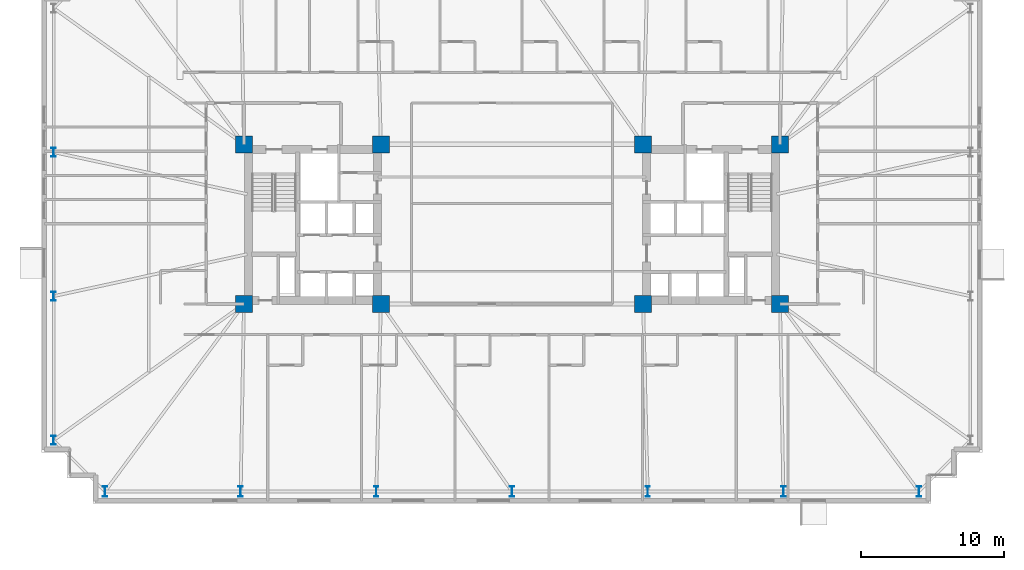
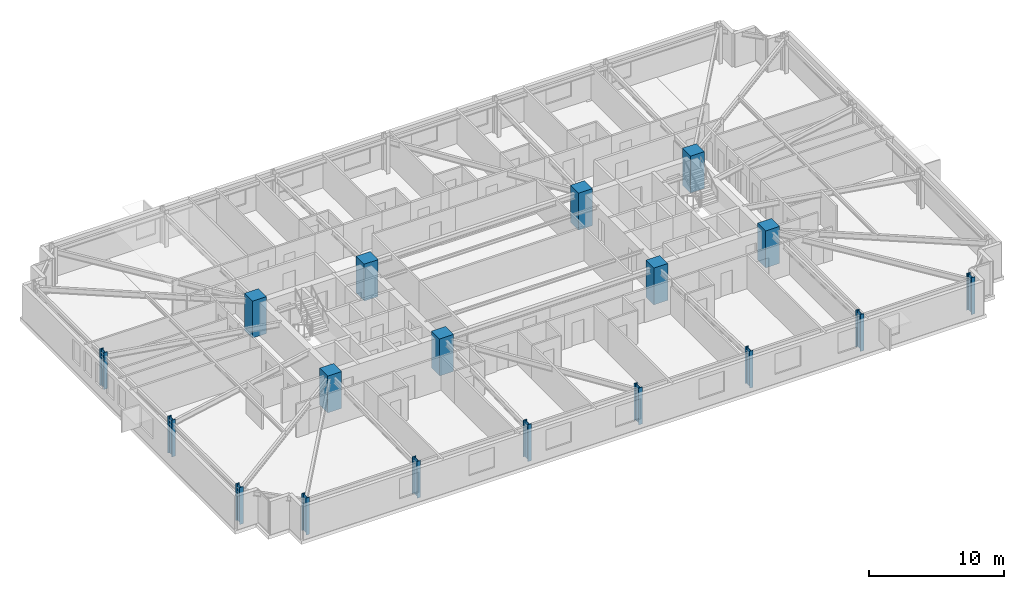
# One storey, part 1 of 22: 18 columns.
"""IFC4 building model written with IfcOpenShell, lengths in metres."""

from ifc_helpers import new_model, si_unit, direction, frame, origin, origin_2d, place, context, subcontext, project, spatial, rectangle, i_section, extrude, material, material_profile, profile_set, type_object, element, save


model = new_model("IFC4")

# Units and contexts
model_context = context("Model", 3, precision=1e-05, world=origin(), true_north=direction((0.0, 1.0)))
body_context = subcontext(model_context, "Body", "Model", "MODEL_VIEW")
ifc_project = project(units=[si_unit("LENGTHUNIT", "METRE"), si_unit("AREAUNIT", "SQUARE_METRE"), si_unit("VOLUMEUNIT", "CUBIC_METRE"), si_unit("PLANEANGLEUNIT", "RADIAN"), si_unit("MASSUNIT", "GRAM", prefix="KILO")], contexts=[model_context])

# Site, building, storey
site_placement = place(None, origin())
site = spatial("IfcSite", under=ifc_project, at=site_placement, CompositionType="ELEMENT")
building_placement = place(site_placement, origin())
building = spatial("IfcBuilding", under=site, at=building_placement, Name="Qobustan Lattice House", CompositionType="ELEMENT")
storey_placement = place(building_placement, frame((0.0, 0.0, 60.5)))
storey = spatial("IfcBuildingStorey", under=building, at=storey_placement, Name="L16", CompositionType="ELEMENT", Elevation=60.5)

# Columns
ifc_material_1 = material(Name="Concrete C60/75", Category="concrete")
ifc_material_profile_1 = material_profile(ifc_material_1, rectangle(XDim=1.199951171875, YDim=1.199951171875, at=origin_2d()), Name="RC1200x1200")
ifc_profile_set_1 = profile_set([ifc_material_profile_1], Name="Concrete C60/75")
column_type_1 = type_object("IfcColumnType", Name="COL-RC-1200", PredefinedType="COLUMN", material=ifc_profile_set_1)
for number, where, z_axis, x_axis, name in (
    (1, (-18.800048828125, -5.60009765625, 0.0), (0.0, 0.0, 1.0), (1.0, 0.0, 0.0), "L16 core mega-column CW-SW"),
    (2, (-18.800048828125, 5.60009765625, 0.0), (0.0, 0.0, 1.0), (1.0, 0.0, 0.0), "L16 core mega-column CW-NW"),
    (3, (-9.199951171875, -5.60009765625, 0.0), (0.0, 0.0, 1.0), (1.0, 0.0, 0.0), "L16 core mega-column CW-SE"),
    (4, (-9.199951171875, 5.60009765625, 0.0), (0.0, 0.0, 1.0), (1.0, 0.0, 0.0), "L16 core mega-column CW-NE"),
    (5, (9.199951171875, -5.60009765625, 0.0), (0.0, 0.0, 1.0), (1.0, 0.0, 0.0), "L16 core mega-column CE-SW"),
    (6, (9.199951171875, 5.60009765625, 0.0), (0.0, 0.0, 1.0), (1.0, 0.0, 0.0), "L16 core mega-column CE-NW"),
    (7, (18.800048828125, -5.60009765625, 0.0), (0.0, 0.0, 1.0), (1.0, 0.0, 0.0), "L16 core mega-column CE-SE"),
    (8, (18.800048828125, 5.60009765625, 0.0), (0.0, 0.0, 1.0), (1.0, 0.0, 0.0), "L16 core mega-column CE-NE"),
):
    element("IfcColumn", number, at=place(storey_placement, frame(where, z_axis=z_axis, x_axis=x_axis)), inside=storey, type_object=column_type_1, Name=name, PredefinedType="COLUMN", context=body_context, shape_type="SweptSolid", body=[
        extrude(rectangle(XDim=1.199951171875, YDim=1.199951171875, at=origin_2d()), origin(), (0.0, 0.0, 1.0), 3.35009765625),
    ])
ifc_material_2 = material(Name="Steel S460", Category="steel")
ifc_material_profile_2 = material_profile(ifc_material_2, i_section(OverallWidth=0.304931640625, OverallDepth=0.6201171875, WebThickness=0.02099609375, FlangeThickness=0.0400390625, FilletRadius=0.027099609375, at=origin_2d()), Name="HEM600")
ifc_profile_set_2 = profile_set([ifc_material_profile_2], Name="Steel S460")
column_type_2 = type_object("IfcColumnType", Name="COL-ST-HEM600", PredefinedType="COLUMN", material=ifc_profile_set_2)
for number, where, z_axis, x_axis, name in (
    (9, (-32.14990234375, 5.050048828125, 0.0), (0.0, 0.0, 1.0), (1.0, 0.0, 0.0), "L16 B1 perimeter column W2"),
    (10, (-32.14990234375, -5.050048828125, 0.0), (0.0, 0.0, 1.0), (1.0, 0.0, 0.0), "L16 B1 perimeter column W3"),
    (11, (-32.14990234375, -15.14990234375, 0.0), (0.0, 0.0, 1.0), (1.0, 0.0, 0.0), "L16 B1 perimeter column W4"),
):
    element("IfcColumn", number, at=place(storey_placement, frame(where, z_axis=z_axis, x_axis=x_axis)), inside=storey, type_object=column_type_2, Name=name, PredefinedType="COLUMN", context=body_context, shape_type="SweptSolid", body=[
        extrude(i_section(OverallWidth=0.304931640625, OverallDepth=0.6201171875, WebThickness=0.02099609375, FlangeThickness=0.0400390625, FilletRadius=0.027099609375, at=origin_2d()), origin(), (0.0, 0.0, 1.0), 3.35009765625),
    ])
ifc_material_3 = material(Name="Steel S460", Category="steel")
ifc_material_profile_3 = material_profile(ifc_material_3, i_section(OverallWidth=0.303955078125, OverallDepth=0.716064453125, WebThickness=0.02099609375, FlangeThickness=0.0400390625, FilletRadius=0.027099609375, at=origin_2d()), Name="HEM700")
ifc_profile_set_3 = profile_set([ifc_material_profile_3], Name="Steel S460")
column_type_3 = type_object("IfcColumnType", Name="COL-ST-HEM700", PredefinedType="COLUMN", material=ifc_profile_set_3)
for number, where, z_axis, x_axis, name in (
    (12, (-28.550048828125, -18.75, 0.0), (0.0, 0.0, 1.0), (1.0, 0.0, 0.0), "L16 B1 perimeter column S1"),
    (13, (-19.033203125, -18.75, 0.0), (0.0, 0.0, 1.0), (1.0, 0.0, 0.0), "L16 B1 perimeter column S2"),
    (14, (-9.5166015625, -18.75, 0.0), (0.0, 0.0, 1.0), (1.0, 0.0, 0.0), "L16 B1 perimeter column S3"),
    (15, (0.0, -18.75, 0.0), (0.0, 0.0, 1.0), (1.0, 0.0, 0.0), "L16 B1 perimeter column S4"),
    (16, (9.5166015625, -18.75, 0.0), (0.0, 0.0, 1.0), (1.0, 0.0, 0.0), "L16 B1 perimeter column S5"),
    (17, (19.033203125, -18.75, 0.0), (0.0, 0.0, 1.0), (1.0, 0.0, 0.0), "L16 B1 perimeter column S6"),
    (18, (28.550048828125, -18.75, 0.0), (0.0, 0.0, 1.0), (1.0, 0.0, 0.0), "L16 B1 perimeter column S7"),
):
    element("IfcColumn", number, at=place(storey_placement, frame(where, z_axis=z_axis, x_axis=x_axis)), inside=storey, type_object=column_type_3, Name=name, PredefinedType="COLUMN", context=body_context, shape_type="SweptSolid", body=[
        extrude(i_section(OverallWidth=0.303955078125, OverallDepth=0.716064453125, WebThickness=0.02099609375, FlangeThickness=0.0400390625, FilletRadius=0.027099609375, at=origin_2d()), origin(), (0.0, 0.0, 1.0), 3.35009765625),
    ])

save(model, "model.ifc")
